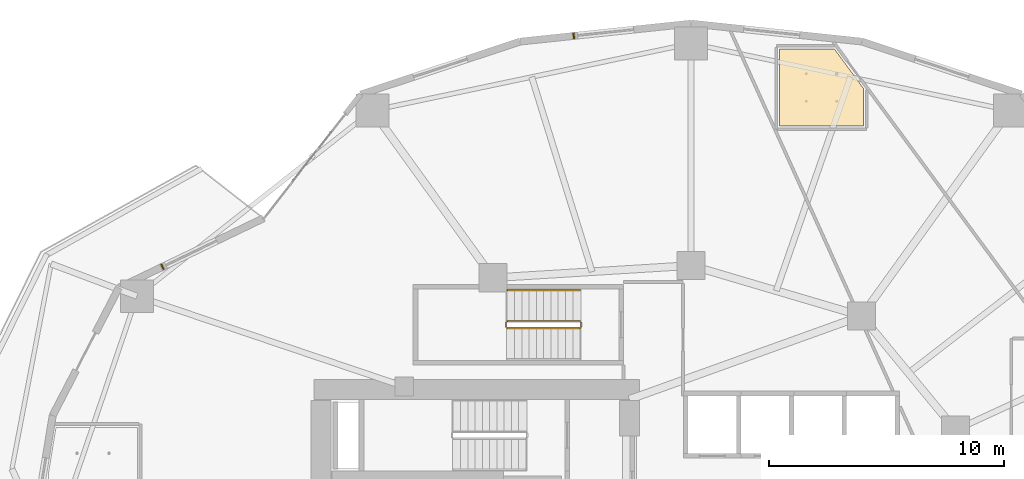
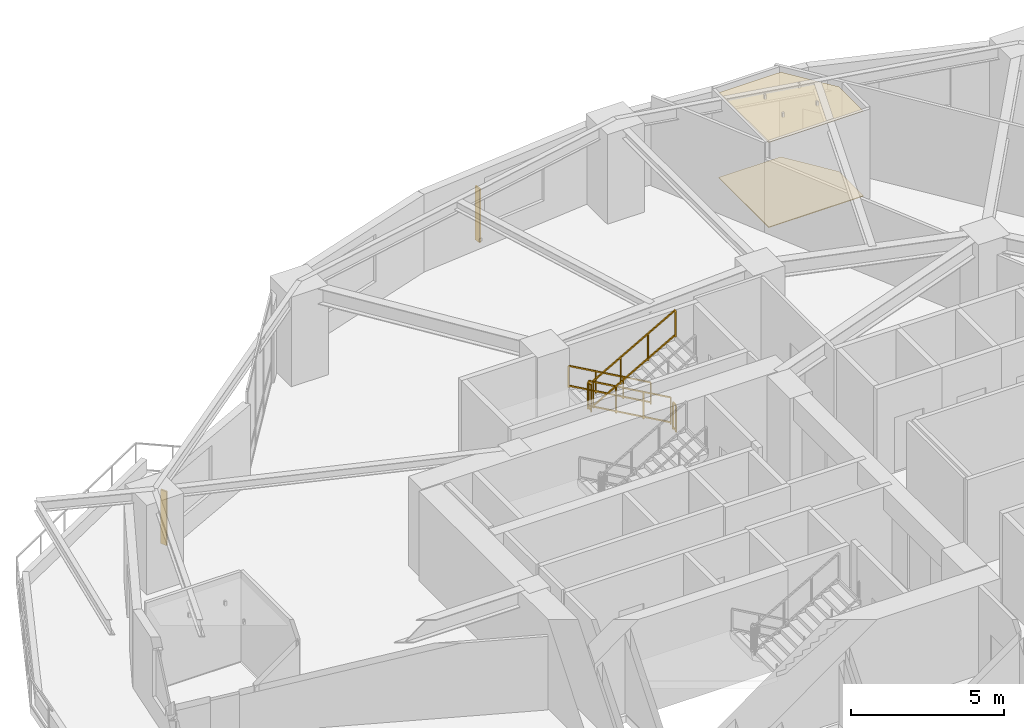
# One storey, part 18 of 18: 5 railings, 2 coverings, 2 shading devices.
"""IFC4 building model written with IfcOpenShell, lengths in metres."""

import ifcopenshell
import ifcopenshell.guid

model = None  # the IFC model being written
_history = None  # IfcOwnerHistory: only IFC2X3 demands one
_inside = {}  # id of a spatial element -> (the spatial element, [elements in it])
_under = {}  # id of a project, library or spatial element -> (it, [spatial elements below it])
_declared = {}  # id of a project -> (the project, [libraries it declares])
_typed = {}  # id of a type object -> (the type object, [elements of that type])
_made_of = {}  # id of a material, layer set ... -> (it, [elements and type objects made of it])


def new_model(schema):
    """Start an empty IFC model of exactly this schema.

    Asked for "IFC4X3", IfcOpenShell would pick the latest addendum, in which some entities
    have other attributes; the version numbers below select the first issue.
    IFC2X3 requires an IfcOwnerHistory on every rooted entity: one is made here for all.
    """
    global model, _history
    if schema == "IFC4X3":
        model = ifcopenshell.file(schema_version=(4, 3, 0, 0))
    else:
        model = ifcopenshell.file(schema=schema)
    _inside.clear()
    _under.clear()
    _declared.clear()
    _typed.clear()
    _made_of.clear()
    _history = None
    if model.schema == "IFC2X3":
        org = make("IfcOrganization", Name="unknown")
        user = make(
            "IfcPersonAndOrganization",
            ThePerson=make("IfcPerson", FamilyName="unknown"),
            TheOrganization=org,
        )
        app = make(
            "IfcApplication",
            ApplicationDeveloper=org,
            Version="unknown",
            ApplicationFullName="unknown",
            ApplicationIdentifier="unknown",
        )
        _history = make(
            "IfcOwnerHistory",
            OwningUser=user,
            OwningApplication=app,
            ChangeAction="ADDED",
            CreationDate=0,
        )
    return model


def make(cls, **values):
    """One entity of the class cls with the attributes given. An attribute that is None is left unset."""
    return model.create_entity(
        cls, **{name: value for name, value in values.items() if value is not None}
    )


def rooted(cls, **values):
    """An entity with a GlobalId (a new one), such as an element, a storey or a relation."""
    return make(cls, GlobalId=ifcopenshell.guid.new(), OwnerHistory=_history, **values)


def si_unit(unit_type, name, prefix=None):
    """IfcSIUnit, for example si_unit("LENGTHUNIT", "METRE", prefix="MILLI")."""
    return make("IfcSIUnit", UnitType=unit_type, Prefix=prefix, Name=name)


def assignment(units):
    """IfcUnitAssignment: the units of a project."""
    return None if units is None else make("IfcUnitAssignment", Units=units)


def point(xyz):
    """IfcCartesianPoint."""
    return None if xyz is None else make("IfcCartesianPoint", Coordinates=xyz)


def direction(xyz):
    """IfcDirection."""
    return None if xyz is None else make("IfcDirection", DirectionRatios=xyz)


def frame(location, z_axis=None, x_axis=None):
    """IfcAxis2Placement3D, a coordinate frame: its origin and axes. An axis left out is left unset."""
    return make(
        "IfcAxis2Placement3D",
        Location=point(location),
        Axis=direction(z_axis),
        RefDirection=direction(x_axis),
    )


def frame_2d(location, x_axis=None):
    """IfcAxis2Placement2D, a coordinate frame in the plane: its origin and x axis."""
    return make(
        "IfcAxis2Placement2D", Location=point(location), RefDirection=direction(x_axis)
    )


def origin():
    """The frame at (0, 0, 0) with its axes left unset."""
    return frame((0.0, 0.0, 0.0))


def origin_2d():
    """The frame at (0, 0) in the plane with its x axis left unset."""
    return frame_2d((0.0, 0.0))


def place(relative_to, where):
    """IfcLocalPlacement: puts the frame where relative to a parent placement (None: the world)."""
    return make(
        "IfcLocalPlacement", PlacementRelTo=relative_to, RelativePlacement=where
    )


def context(
    kind, dimensions, precision=None, world=None, true_north=None, identifier=None
):
    """IfcGeometricRepresentationContext, for example the 3D "Model" context."""
    return make(
        "IfcGeometricRepresentationContext",
        ContextIdentifier=identifier,
        ContextType=kind,
        CoordinateSpaceDimension=dimensions,
        Precision=precision,
        WorldCoordinateSystem=world,
        TrueNorth=true_north,
    )


def subcontext(parent, identifier, kind, view, scale=None):
    """IfcGeometricRepresentationSubContext, for example "Body" below "Model"."""
    return make(
        "IfcGeometricRepresentationSubContext",
        ContextIdentifier=identifier,
        ContextType=kind,
        ParentContext=parent,
        TargetScale=scale,
        TargetView=view,
    )


def project(units=None, contexts=None):
    """IfcProject with its units and contexts."""
    return rooted(
        "IfcProject",
        Name="project",
        RepresentationContexts=contexts,
        UnitsInContext=assignment(units),
    )


def spatial(cls, under=None, at=None, **own):
    """A site, building, storey or space (cls), placed at a placement, below another one or the project."""
    s = rooted(cls, ObjectPlacement=at, **own)
    if under is not None:
        _under.setdefault(under.id(), (under, []))[1].append(s)
    return s


def polyline(points):
    """IfcPolyline through the points."""
    return make("IfcPolyline", Points=[point(p) for p in points])


def profile(cls, at=None, kind="AREA", **sizes):
    """A parametric profile (cls). Its sizes go by their IFC names, for example OverallWidth=200.0."""
    return make(cls, ProfileType=kind, Position=at, **sizes)


def rectangle(**sizes):
    """IfcRectangleProfileDef."""
    return profile("IfcRectangleProfileDef", **sizes)


def outline(outer, holes=None, kind="AREA"):
    """IfcArbitraryClosedProfileDef: a profile drawn as a closed curve; with holes, ...WithVoids."""
    if holes is None:
        return make("IfcArbitraryClosedProfileDef", ProfileType=kind, OuterCurve=outer)
    return make(
        "IfcArbitraryProfileDefWithVoids",
        ProfileType=kind,
        OuterCurve=outer,
        InnerCurves=holes,
    )


def extrude(swept, where, along, depth):
    """IfcExtrudedAreaSolid: the profile swept, set in the frame where, extruded along a direction by depth."""
    return make(
        "IfcExtrudedAreaSolid",
        SweptArea=swept,
        Position=where,
        ExtrudedDirection=direction(along),
        Depth=depth,
    )


def shape(context_of_items, identifier, shape_type, items):
    """IfcShapeRepresentation: the items that make up one representation, for example the "Body"."""
    return make(
        "IfcShapeRepresentation",
        ContextOfItems=context_of_items,
        RepresentationIdentifier=identifier,
        RepresentationType=shape_type,
        Items=items,
    )


def material(Name=None, Category=None):
    """IfcMaterial."""
    return make("IfcMaterial", Name=Name, Category=Category)


def layer(
    of_material, thickness, ventilated=None, Name=None, Category=None, Priority=None
):
    """IfcMaterialLayer: one layer of a wall or slab, of a material (None: an air gap)."""
    return make(
        "IfcMaterialLayer",
        Material=of_material,
        LayerThickness=thickness,
        IsVentilated=ventilated,
        Name=Name,
        Category=Category,
        Priority=Priority,
    )


def layer_set(layers, Name=None):
    """IfcMaterialLayerSet."""
    return make("IfcMaterialLayerSet", MaterialLayers=layers, LayerSetName=Name)


def made_of(thing, what):
    """Note that an element or type object is made of a material, layer set ...; save() writes the relation."""
    if what is not None:
        _made_of.setdefault(what.id(), (what, []))[1].append(thing)
    return thing


def type_object(cls, material=None, **own):
    """A type object (cls), such as IfcWallType, which elements share."""
    return made_of(rooted(cls, **own), material)


def element(
    cls,
    number,
    at=None,
    inside=None,
    cuts=None,
    type_object=None,
    material=None,
    context=None,
    identifier="Body",
    shape_type=None,
    held_by="IfcProductDefinitionShape",
    body=None,
    shapes=None,
    **own,
):
    """One element of the class cls, such as IfcWall. Its Tag is "e" and its number.

    at: its placement. inside: the storey or other place that contains it. cuts: it is an
    opening in that element (IfcRelVoidsElement). A single representation is given by context,
    identifier, shape_type and body (its items); several are given by shapes. held_by: the class
    of the entity that holds the representations. save() writes the other relations.
    """
    e = rooted(cls, Tag="e%d" % number, ObjectPlacement=at, **own)
    if body is not None:
        shapes = [shape(context, identifier, shape_type, body)]
    if shapes is not None:
        e.Representation = make(held_by, Representations=shapes)
    if inside is not None:
        _inside.setdefault(inside.id(), (inside, []))[1].append(e)
    if cuts is not None:
        rooted(
            "IfcRelVoidsElement", RelatingBuildingElement=cuts, RelatedOpeningElement=e
        )
    if type_object is not None:
        _typed.setdefault(type_object.id(), (type_object, []))[1].append(e)
    return made_of(e, material)


def aggregate(whole, parts):
    """IfcRelAggregates: a whole, such as a stair, and the parts it consists of."""
    return rooted("IfcRelAggregates", RelatingObject=whole, RelatedObjects=parts)


def save(model, path):
    """Write the relations noted so far, then the file.

    IfcRelAggregates (storeys below a building ...), IfcRelContainedInSpatialStructure (elements
    in a storey), IfcRelDefinesByType, IfcRelAssociatesMaterial and IfcRelDeclares: one each for
    every whole, place, type object, material and project.
    """
    for whole, parts in _under.values():
        aggregate(whole, parts)
    for where, things in _inside.values():
        rooted(
            "IfcRelContainedInSpatialStructure",
            RelatedElements=things,
            RelatingStructure=where,
        )
    for kind, things in _typed.values():
        rooted("IfcRelDefinesByType", RelatedObjects=things, RelatingType=kind)
    for what, things in _made_of.values():
        rooted("IfcRelAssociatesMaterial", RelatedObjects=things, RelatingMaterial=what)
    for by, libraries in _declared.values():
        rooted("IfcRelDeclares", RelatingContext=by, RelatedDefinitions=libraries)
    model.write(path)


model = new_model("IFC4")

# Units and contexts
model_context = context("Model", 3, precision=1e-05, world=origin(), true_north=direction((0.0, 1.0)))
body_context = subcontext(model_context, "Body", "Model", "MODEL_VIEW")
ifc_project = project(units=[si_unit("LENGTHUNIT", "METRE"), si_unit("AREAUNIT", "SQUARE_METRE"), si_unit("VOLUMEUNIT", "CUBIC_METRE"), si_unit("PLANEANGLEUNIT", "RADIAN"), si_unit("MASSUNIT", "GRAM", prefix="KILO")], contexts=[model_context])

# Site, building, storey
site_placement = place(None, origin())
site = spatial("IfcSite", under=ifc_project, at=site_placement, CompositionType="ELEMENT")
building_placement = place(site_placement, origin())
building = spatial("IfcBuilding", under=site, at=building_placement, Name="Kolvaren Gate Tower and Convention Centre", CompositionType="ELEMENT")
storey_placement = place(building_placement, frame((0.0, 0.0, 30.35009765625)))
storey = spatial("IfcBuildingStorey", under=building, at=storey_placement, Name="L06", CompositionType="ELEMENT", Elevation=30.35009765625)

# Coverings
ifc_material_1 = material(Name="Perforated Mineral-Fibre Acoustic Ceiling Tile 18 mm", Category="gypsum")
ifc_layer_1 = layer(ifc_material_1, 0.01806640625)
ifc_layer_set_1 = layer_set([ifc_layer_1], Name="Perforated Mineral-Fibre Acoustic Ceiling Tile 18 mm")
covering_type_1 = type_object("IfcCoveringType", Name="ARCH-COV-CEIL-18", PredefinedType="CEILING", material=ifc_layer_set_1)
covering_1_placement = place(storey_placement, frame((0.0, 0.0, 3.389892578125)))
element("IfcCovering", 1, at=covering_1_placement, inside=storey, type_object=covering_type_1, Name="Cellular Office Acoustic Suspended Ceiling", PredefinedType="CEILING", context=body_context, shape_type="SweptSolid", body=[
    extrude(outline(polyline([(37.4599609375, 45.139892578125), (33.889892578125, 45.139892578125), (33.889892578125, 48.409912109375), (36.22998046875, 48.409912109375), (37.4599609375, 46.738037109375), (37.4599609375, 45.139892578125)])), origin(), (0.0, 0.0, 1.0), 0.01806640625),
])
ifc_material_2 = material(Name="Honed Sabana Limestone Terrazzo Flooring 30 mm", Category="masonry")
ifc_layer_2 = layer(ifc_material_2, 0.030029296875)
ifc_layer_set_2 = layer_set([ifc_layer_2], Name="Honed Sabana Limestone Terrazzo Flooring 30 mm")
covering_type_2 = type_object("IfcCoveringType", Name="ARCH-COV-FLR-30", PredefinedType="FLOORING", material=ifc_layer_set_2)
covering_2_placement = place(storey_placement, origin())
element("IfcCovering", 2, at=covering_2_placement, inside=storey, type_object=covering_type_2, Name="Cellular Office Interior Finish Flooring", PredefinedType="FLOORING", context=body_context, shape_type="SweptSolid", body=[
    extrude(outline(polyline([(37.4599609375, 45.139892578125), (33.889892578125, 45.139892578125), (33.889892578125, 48.409912109375), (36.22998046875, 48.409912109375), (37.4599609375, 46.738037109375), (37.4599609375, 45.139892578125)])), origin(), (0.0, 0.0, 1.0), 0.02978515625),
])

# Railings
ifc_material_3 = material(Name="Brushed Stainless Steel Grade 316L", Category="steel")
railing_type_1 = type_object("IfcRailingType", Name="ARCH-RL-GUARD-1150", PredefinedType="GUARDRAIL", material=ifc_material_3)
railing_1_placement = place(storey_placement, frame((25.39990234375, 36.830078125, 0.1748046875)))
element("IfcRailing", 3, at=railing_1_placement, inside=storey, type_object=railing_type_1, Name="L06 ST-T3 stair guard 1", PredefinedType="GUARDRAIL", context=body_context, shape_type="SweptSolid", body=[
    extrude(rectangle(XDim=0.048095703125, YDim=0.048095703125, at=origin_2d()), frame((0.0, 0.0, 1.076171875), z_axis=(-0.870814364268, 0.0, 0.491611984175), x_axis=(0.0, -1.0, 0.0)), (0.0, 0.0, 1.0), 3.559814453125),
    extrude(rectangle(XDim=0.048095703125, YDim=0.048095703125, at=origin_2d()), frame((0.0, 0.0, 0.083984375), z_axis=(-0.870814364268, 0.0, 0.491611984175), x_axis=(0.0, -1.0, 0.0)), (0.0, 0.0, 1.0), 3.559814453125),
    extrude(rectangle(XDim=0.0419921875, YDim=0.0419921875, at=origin_2d()), origin(), (0.0, 0.0, 1.0), 1.050048828125),
    extrude(rectangle(XDim=0.0419921875, YDim=0.0419921875, at=origin_2d()), frame((-3.099853515625, 0.0, 1.75)), (0.0, 0.0, 1.0), 1.050048828125),
    extrude(rectangle(XDim=0.0419921875, YDim=0.0419921875, at=origin_2d()), frame((-1.033203125, 0.0, 0.583251953125)), (0.0, 0.0, 1.0), 1.050048828125),
    extrude(rectangle(XDim=0.0419921875, YDim=0.0419921875, at=origin_2d()), frame((-2.066650390625, 0.0, 1.166748046875)), (0.0, 0.0, 1.0), 1.050048828125),
])
railing_2_placement = place(storey_placement, frame((22.25, 36.780029296875, 1.9248046875)))
element("IfcRailing", 4, at=railing_2_placement, inside=storey, type_object=railing_type_1, Name="L06 ST-T3 stair guard 2", PredefinedType="GUARDRAIL", context=body_context, shape_type="SweptSolid", body=[
    extrude(rectangle(XDim=0.048095703125, YDim=0.048095703125, at=origin_2d()), frame((0.0, 0.0, 1.076171875), z_axis=(0.0, -1.0, 0.0), x_axis=(1.0, 0.0, 0.0)), (0.0, 0.0, 1.0), 0.199951171875),
    extrude(rectangle(XDim=0.048095703125, YDim=0.048095703125, at=origin_2d()), frame((0.0, 0.0, 0.083984375), z_axis=(0.0, -1.0, 0.0), x_axis=(1.0, 0.0, 0.0)), (0.0, 0.0, 1.0), 0.199951171875),
    extrude(rectangle(XDim=0.0419921875, YDim=0.0419921875, at=origin_2d()), origin(), (0.0, 0.0, 1.0), 1.050048828125),
    extrude(rectangle(XDim=0.0419921875, YDim=0.0419921875, at=origin_2d()), frame((0.0, -0.199951171875, 0.0)), (0.0, 0.0, 1.0), 1.050048828125),
])
railing_3_placement = place(storey_placement, frame((22.300048828125, 36.530029296875, 2.099853515625)))
element("IfcRailing", 5, at=railing_3_placement, inside=storey, type_object=railing_type_1, Name="L06 ST-T3 stair guard 3", PredefinedType="GUARDRAIL", context=body_context, shape_type="SweptSolid", body=[
    extrude(rectangle(XDim=0.048095703125, YDim=0.048095703125, at=origin_2d()), frame((0.0, 0.0, 1.076171875), z_axis=(0.870814364268, 0.0, 0.491611984175), x_axis=(0.0, 1.0, 0.0)), (0.0, 0.0, 1.0), 3.559814453125),
    extrude(rectangle(XDim=0.048095703125, YDim=0.048095703125, at=origin_2d()), frame((0.0, 0.0, 0.083984375), z_axis=(0.870814364268, 0.0, 0.491611984175), x_axis=(0.0, 1.0, 0.0)), (0.0, 0.0, 1.0), 3.559814453125),
    extrude(rectangle(XDim=0.0419921875, YDim=0.0419921875, at=origin_2d()), origin(), (0.0, 0.0, 1.0), 1.050048828125),
    extrude(rectangle(XDim=0.0419921875, YDim=0.0419921875, at=origin_2d()), frame((3.099853515625, 0.0, 1.75)), (0.0, 0.0, 1.0), 1.050048828125),
    extrude(rectangle(XDim=0.0419921875, YDim=0.0419921875, at=origin_2d()), frame((1.033203125, 0.0, 0.583251953125)), (0.0, 0.0, 1.0), 1.050048828125),
    extrude(rectangle(XDim=0.0419921875, YDim=0.0419921875, at=origin_2d()), frame((2.066650390625, 0.0, 1.166748046875)), (0.0, 0.0, 1.0), 1.050048828125),
])
railing_4_placement = place(storey_placement, frame((25.449951171875, 36.780029296875, 0.0)))
element("IfcRailing", 6, at=railing_4_placement, inside=storey, type_object=railing_type_1, Name="L06 ST-T3 stair guard 4", PredefinedType="GUARDRAIL", context=body_context, shape_type="SweptSolid", body=[
    extrude(rectangle(XDim=0.048095703125, YDim=0.048095703125, at=origin_2d()), frame((0.0, 0.0, 1.076171875), z_axis=(0.0, -1.0, 0.0), x_axis=(1.0, 0.0, 0.0)), (0.0, 0.0, 1.0), 0.199951171875),
    extrude(rectangle(XDim=0.048095703125, YDim=0.048095703125, at=origin_2d()), frame((0.0, 0.0, 0.083984375), z_axis=(0.0, -1.0, 0.0), x_axis=(1.0, 0.0, 0.0)), (0.0, 0.0, 1.0), 0.199951171875),
    extrude(rectangle(XDim=0.0419921875, YDim=0.0419921875, at=origin_2d()), origin(), (0.0, 0.0, 1.0), 1.050048828125),
    extrude(rectangle(XDim=0.0419921875, YDim=0.0419921875, at=origin_2d()), frame((0.0, -0.199951171875, 0.0)), (0.0, 0.0, 1.0), 1.050048828125),
])
railing_type_2 = type_object("IfcRailingType", Name="ARCH-RL-HANDRAIL-920", PredefinedType="HANDRAIL", material=ifc_material_3)
railing_5_placement = place(storey_placement, frame((25.39990234375, 38.14990234375, 0.1748046875)))
element("IfcRailing", 7, at=railing_5_placement, inside=storey, type_object=railing_type_2, Name="L06 ST-T3 stair handrail 1", PredefinedType="HANDRAIL", context=body_context, shape_type="SweptSolid", body=[
    extrude(rectangle(XDim=0.048095703125, YDim=0.048095703125, at=origin_2d()), frame((0.0, 0.0, 0.8759765625), z_axis=(-0.870814364268, 0.0, 0.491611984175), x_axis=(0.0, -1.0, 0.0)), (0.0, 0.0, 1.0), 3.559814453125),
    extrude(rectangle(XDim=0.048095703125, YDim=0.048095703125, at=origin_2d()), frame((0.0, 0.0, 0.083984375), z_axis=(-0.870814364268, 0.0, 0.491611984175), x_axis=(0.0, -1.0, 0.0)), (0.0, 0.0, 1.0), 3.559814453125),
    extrude(rectangle(XDim=0.0419921875, YDim=0.0419921875, at=origin_2d()), origin(), (0.0, 0.0, 1.0), 0.849853515625),
    extrude(rectangle(XDim=0.0419921875, YDim=0.0419921875, at=origin_2d()), frame((-3.099853515625, 0.0, 1.75)), (0.0, 0.0, 1.0), 0.849853515625),
    extrude(rectangle(XDim=0.0419921875, YDim=0.0419921875, at=origin_2d()), frame((-1.033203125, 0.0, 0.583251953125)), (0.0, 0.0, 1.0), 0.849853515625),
    extrude(rectangle(XDim=0.0419921875, YDim=0.0419921875, at=origin_2d()), frame((-2.066650390625, 0.0, 1.166748046875)), (0.0, 0.0, 1.0), 0.849853515625),
])

# Shading devices
ifc_material_4 = material(Name="Kiln-Fired Bogota Terracotta Ceramic Louvre Profile", Category="masonry")
shading_device_type = type_object("IfcShadingDeviceType", Name="ARCH-SHD-FIN-180", PredefinedType="JALOUSIE", material=ifc_material_4)
for number, where, z_axis, x_axis, name in (
    (8, (25.133056640625, 48.97412109375, 0.219970703125), (0.0, 0.0, 1.0), (0.994498884311, 0.104747167526, 0.0), "Ceramic Vertical Brise-Soleil Fin FN-L06-06"),
    (9, (7.625732421875, 39.142578125, 0.219970703125), (0.0, 0.0, 1.0), (0.90136443672, 0.433061372343, 0.0), "Ceramic Vertical Brise-Soleil Fin FN-L06-09"),
):
    element("IfcShadingDevice", number, at=place(storey_placement, frame(where, z_axis=z_axis, x_axis=x_axis)), inside=storey, type_object=shading_device_type, Name=name, PredefinedType="JALOUSIE", context=body_context, shape_type="SweptSolid", body=[
        extrude(rectangle(XDim=0.06005859375, YDim=0.239990234375, at=origin_2d()), origin(), (0.0, 0.0, 1.0), 2.14990234375),
    ])

save(model, "model.ifc")
